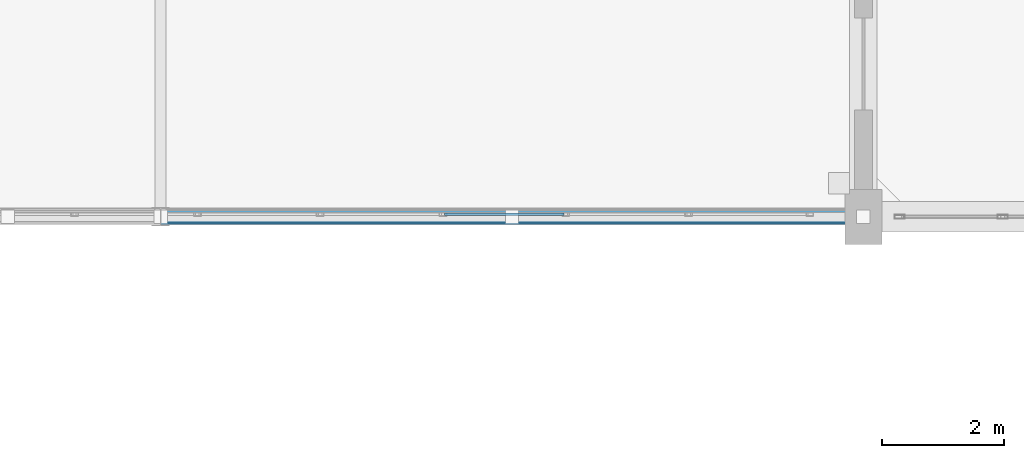
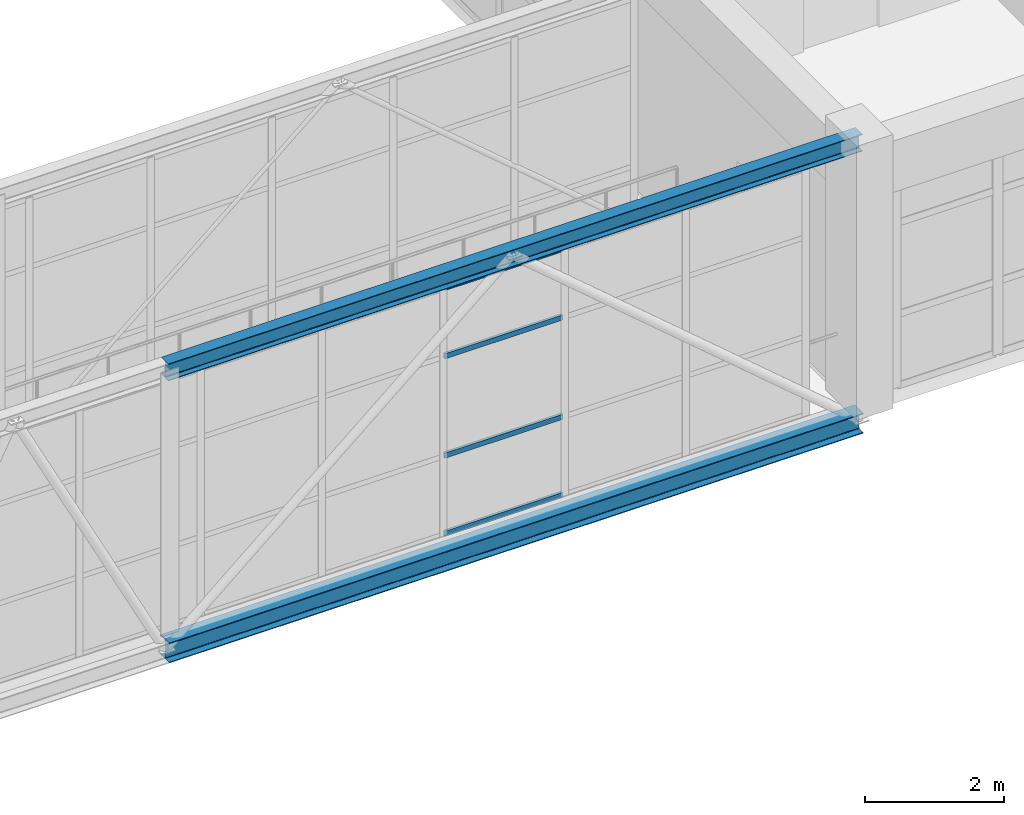
# One storey, part 98 of 248: 6 members, 1 element without a shape of its own.
"""IFC4 building model written with IfcOpenShell, lengths in metres."""

from ifc_helpers import new_model, si_unit, direction, frame, origin, origin_2d, place, context, subcontext, project, spatial, hollow_rectangle, i_section, extrude, material, layer, layer_set, material_profile, profile_set, type_object, element, aggregate, save


model = new_model("IFC4")

# Units and contexts
model_context = context("Model", 3, precision=1e-05, world=origin(), true_north=direction((0.0, 1.0)))
body_context = subcontext(model_context, "Body", "Model", "MODEL_VIEW")
ifc_project = project(units=[si_unit("LENGTHUNIT", "METRE"), si_unit("AREAUNIT", "SQUARE_METRE"), si_unit("VOLUMEUNIT", "CUBIC_METRE"), si_unit("PLANEANGLEUNIT", "RADIAN"), si_unit("MASSUNIT", "GRAM", prefix="KILO")], contexts=[model_context])

# Site, building, storey
site_placement = place(None, origin())
site = spatial("IfcSite", under=ifc_project, at=site_placement, CompositionType="ELEMENT")
building_placement = place(site_placement, origin())
building = spatial("IfcBuilding", under=site, at=building_placement, Name="Canggui Botanical Conservatory", CompositionType="ELEMENT")
storey_placement = place(building_placement, frame((0.0, 0.0, 5.39990234375)))
storey = spatial("IfcBuildingStorey", under=building, at=storey_placement, Name="L02", CompositionType="ELEMENT", Elevation=5.39990234375)

# Curtain wall, members
ifc_material_1 = material(Name="Thermally Broken Aluminium", Category="aluminium")
ifc_layer = layer(ifc_material_1, 0.1201171875, Name="Thermally Broken Aluminium", Category="aluminium")
ifc_layer_set = layer_set([ifc_layer], Name="Thermally Broken Aluminium")
curtain_wall_type = type_object("IfcCurtainWallType", Name="CW-STICK-B", PredefinedType="USERDEFINED", material=ifc_layer_set)
curtain_wall_placement = place(storey_placement, origin())
curtain_wall = element("IfcCurtainWall", 1, at=curtain_wall_placement, inside=storey, type_object=curtain_wall_type, Name="Facade Curtain Wall CW-SB-01-1", ObjectType="STICK GLAZED WALL", PredefinedType="USERDEFINED")
ifc_material_profile_1 = material_profile(ifc_material_1, hollow_rectangle(XDim=0.044921875, YDim=0.090087890625, WallThickness=0.0029296875, at=origin_2d()), Name="CWT 45x90x3")
ifc_profile_set_1 = profile_set([ifc_material_profile_1], Name="Thermally Broken Aluminium")
member_type_1 = type_object("IfcMemberType", Name="CWT-05", PredefinedType="USERDEFINED", material=ifc_profile_set_1)
member_1_placement = place(storey_placement, frame((123.1484375, 26.0400390625, 0.022705078125), z_axis=(1.0, 0.0, 0.0), x_axis=(0.0, 1.0, 0.0)))
member_1 = element("IfcMember", 2, at=member_1_placement, type_object=member_type_1, Name="CW-05 transom 29.1", ObjectType="TRANSOM", PredefinedType="USERDEFINED", context=body_context, shape_type="SweptSolid", body=[
    extrude(hollow_rectangle(XDim=0.044921875, YDim=0.090087890625, WallThickness=0.0029296875, at=origin_2d()), origin(), (0.0, 0.0, 1.0), 1.95458984375),
])
member_2_placement = place(storey_placement, frame((123.1484375, 26.0400390625, 1.39208984375), z_axis=(1.0, 0.0, 0.0), x_axis=(0.0, 1.0, 0.0)))
member_2 = element("IfcMember", 3, at=member_2_placement, type_object=member_type_1, Name="CW-05 transom 29.2", ObjectType="TRANSOM", PredefinedType="USERDEFINED", context=body_context, shape_type="SweptSolid", body=[
    extrude(hollow_rectangle(XDim=0.044921875, YDim=0.090087890625, WallThickness=0.0029296875, at=origin_2d()), origin(), (0.0, 0.0, 1.0), 1.95458984375),
])
member_3_placement = place(storey_placement, frame((123.1484375, 26.0400390625, 3.132080078125), z_axis=(1.0, 0.0, 0.0), x_axis=(0.0, 1.0, 0.0)))
member_3 = element("IfcMember", 4, at=member_3_placement, type_object=member_type_1, Name="CW-05 transom 29.3", ObjectType="TRANSOM", PredefinedType="USERDEFINED", context=body_context, shape_type="SweptSolid", body=[
    extrude(hollow_rectangle(XDim=0.044921875, YDim=0.090087890625, WallThickness=0.0029296875, at=origin_2d()), origin(), (0.0, 0.0, 1.0), 1.95458984375),
])
member_4_placement = place(storey_placement, frame((123.1484375, 26.0400390625, 4.32763671875), z_axis=(1.0, 0.0, 0.0), x_axis=(0.0, 1.0, 0.0)))
member_4 = element("IfcMember", 5, at=member_4_placement, type_object=member_type_1, Name="CW-05 transom 29.4", ObjectType="TRANSOM", PredefinedType="USERDEFINED", context=body_context, shape_type="SweptSolid", body=[
    extrude(hollow_rectangle(XDim=0.044921875, YDim=0.090087890625, WallThickness=0.0029296875, at=origin_2d()), origin(), (0.0, 0.0, 1.0), 1.95458984375),
])
aggregate(curtain_wall, [member_1, member_2, member_3, member_4])

# Members
ifc_material_2 = material(Name="Steel Q355B", Category="steel")
ifc_material_profile_2 = material_profile(ifc_material_2, i_section(OverallWidth=0.25, OverallDepth=0.35009765625, WebThickness=0.009033203125, FlangeThickness=0.013916015625, FilletRadius=0.02001953125, at=origin_2d()), Name="HM 350x250x9x14")
ifc_profile_set_2 = profile_set([ifc_material_profile_2], Name="Steel Q355B")
member_type_2 = type_object("IfcMemberType", Name="MEM-TC03", PredefinedType="CHORD", material=ifc_profile_set_2)
member_5_placement = place(storey_placement, frame((118.5, 26.0, -0.349853515625), z_axis=(1.0, 0.0, 0.0), x_axis=(0.0, 1.0, 0.0)))
element("IfcMember", 6, at=member_5_placement, inside=storey, type_object=member_type_2, Name="SB-01 Deck Truss Bottom Chord 1.8", PredefinedType="CHORD", context=body_context, shape_type="SweptSolid", body=[
    extrude(i_section(OverallWidth=0.25, OverallDepth=0.35009765625, WebThickness=0.009033203125, FlangeThickness=0.013916015625, FilletRadius=0.02001953125, at=origin_2d()), origin(), (0.0, 0.0, 1.0), 11.5),
])
ifc_material_profile_3 = material_profile(ifc_material_2, i_section(OverallWidth=0.199951171875, OverallDepth=0.300048828125, WebThickness=0.008056640625, FlangeThickness=0.011962890625, FilletRadius=0.01806640625, at=origin_2d()), Name="HM 300x200x8x12")
ifc_profile_set_3 = profile_set([ifc_material_profile_3], Name="Steel Q355B")
member_type_3 = type_object("IfcMemberType", Name="MEM-TC04", PredefinedType="CHORD", material=ifc_profile_set_3)
member_6_placement = place(storey_placement, frame((118.5, 26.0, 4.550048828125), z_axis=(1.0, 0.0, 0.0), x_axis=(0.0, 1.0, 0.0)))
element("IfcMember", 7, at=member_6_placement, inside=storey, type_object=member_type_3, Name="SB-01 Roof Truss Top Chord 1.8", PredefinedType="CHORD", context=body_context, shape_type="SweptSolid", body=[
    extrude(i_section(OverallWidth=0.199951171875, OverallDepth=0.300048828125, WebThickness=0.008056640625, FlangeThickness=0.011962890625, FilletRadius=0.01806640625, at=origin_2d()), origin(), (0.0, 0.0, 1.0), 11.5),
])

save(model, "model.ifc")
